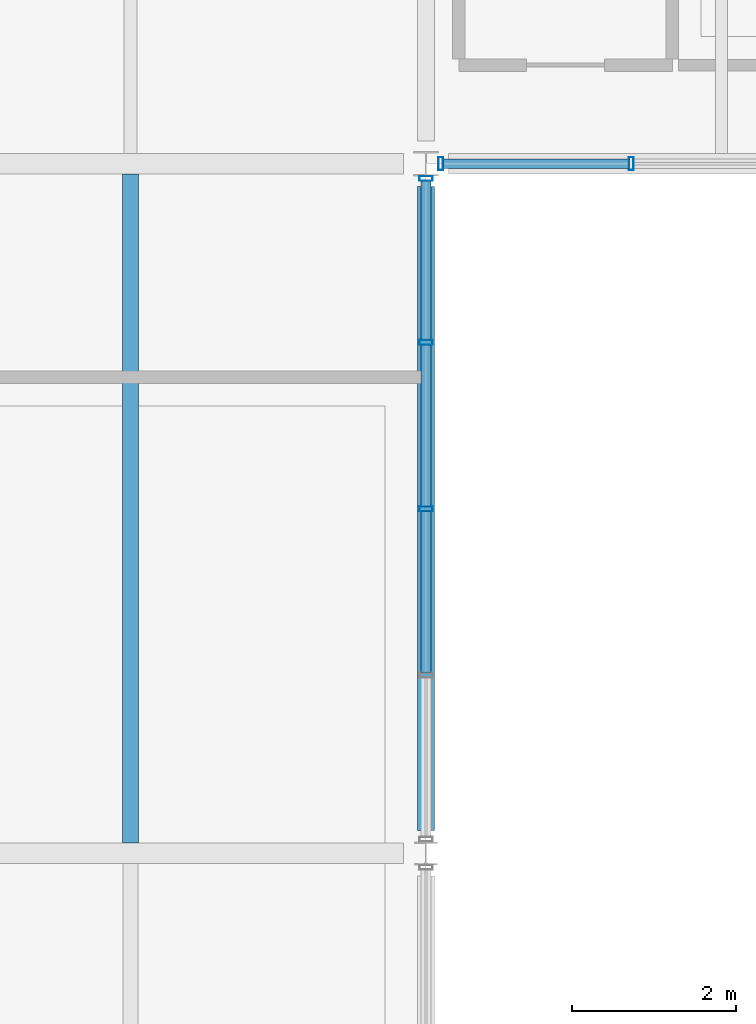
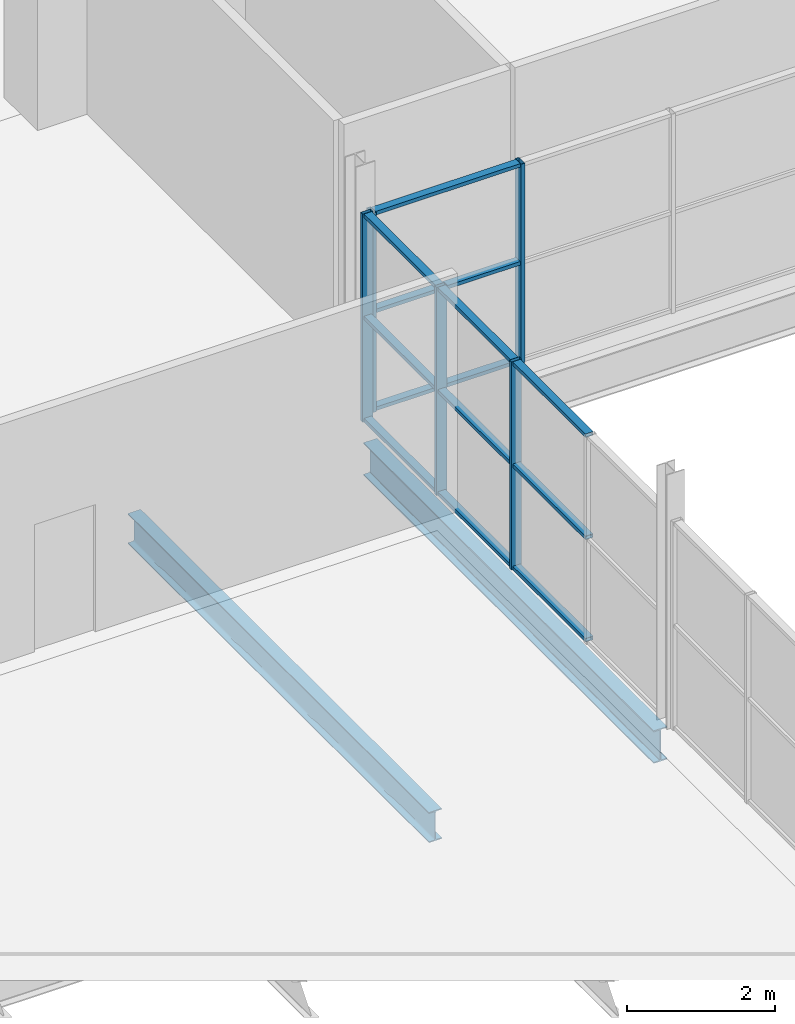
# One storey, part 31 of 161: 17 members, 2 beams, 2 elements without a shape of their own.
"""IFC4 building model written with IfcOpenShell, lengths in metres."""

from ifc_helpers import new_model, si_unit, direction, frame, origin, origin_2d, place, context, subcontext, project, spatial, hollow_rectangle, i_section, extrude, material, material_profile, profile_set, type_object, element, aggregate, save


model = new_model("IFC4")

# Units and contexts
model_context = context("Model", 3, precision=1e-05, world=origin(), true_north=direction((0.0, 1.0)))
body_context = subcontext(model_context, "Body", "Model", "MODEL_VIEW")
ifc_project = project(units=[si_unit("LENGTHUNIT", "METRE"), si_unit("AREAUNIT", "SQUARE_METRE"), si_unit("VOLUMEUNIT", "CUBIC_METRE"), si_unit("PLANEANGLEUNIT", "RADIAN"), si_unit("MASSUNIT", "GRAM", prefix="KILO"), si_unit("THERMODYNAMICTEMPERATUREUNIT", "KELVIN")], contexts=[model_context])

# Site, building, storey
site_placement = place(None, origin())
site = spatial("IfcSite", under=ifc_project, at=site_placement, CompositionType="ELEMENT")
building_placement = place(site_placement, origin())
building = spatial("IfcBuilding", under=site, at=building_placement, Name="Nduvali Passage Aquatics Centre", CompositionType="ELEMENT")
storey_placement = place(building_placement, frame((0.0, 0.0, 4.800048828125)))
storey = spatial("IfcBuildingStorey", under=building, at=storey_placement, Name="L01", CompositionType="ELEMENT", Elevation=4.800048828125)

# Curtain wall, members
ifc_material_1 = material(Name="Aluminium EN AW-6063 T6", Category="aluminium")
curtain_wall_type = type_object("IfcCurtainWallType", Name="ENV-CW-COUR", PredefinedType="NOTDEFINED", material=ifc_material_1)
curtain_wall_1_placement = place(storey_placement, origin())
curtain_wall_1 = element("IfcCurtainWall", 1, at=curtain_wall_1_placement, inside=storey, type_object=curtain_wall_type, Name="L01 Monsoon Courtyard Upper Cloister CW 164", PredefinedType="NOTDEFINED")
ifc_material_profile_1 = material_profile(ifc_material_1, hollow_rectangle(XDim=0.06005859375, YDim=0.159912109375, WallThickness=0.00390625, at=origin_2d()), Name="ALU MULLION 60x160x4")
ifc_profile_set_1 = profile_set([ifc_material_profile_1], Name="Aluminium EN AW-6063 T6")
member_type_1 = type_object("IfcMemberType", Name="ENV-MEM-MUL60", PredefinedType="MULLION", material=ifc_profile_set_1)
member_1_placement = place(storey_placement, frame((68.580078125, 16.800048828125, 0.0), z_axis=(0.0, 0.0, 1.0), x_axis=(1.0, 0.0, 0.0)))
member_1 = element("IfcMember", 2, at=member_1_placement, type_object=member_type_1, Name="Monsoon Courtyard Upper Cloister CW Mullion 1", PredefinedType="MULLION", context=body_context, shape_type="SweptSolid", body=[
    extrude(hollow_rectangle(XDim=0.06005859375, YDim=0.159912109375, WallThickness=0.00390625, at=origin_2d()), origin(), (0.0, 0.0, 1.0), 3.29248046875),
])
member_2_placement = place(storey_placement, frame((70.89990234375, 16.800048828125, 0.0), z_axis=(0.0, 0.0, 1.0), x_axis=(1.0, 0.0, 0.0)))
member_2 = element("IfcMember", 3, at=member_2_placement, type_object=member_type_1, Name="Monsoon Courtyard Upper Cloister CW Mullion 2", PredefinedType="MULLION", context=body_context, shape_type="SweptSolid", body=[
    extrude(hollow_rectangle(XDim=0.06005859375, YDim=0.159912109375, WallThickness=0.00390625, at=origin_2d()), origin(), (0.0, 0.0, 1.0), 3.29248046875),
])

curtain_wall_2_placement = place(storey_placement, origin())
curtain_wall_2 = element("IfcCurtainWall", 4, at=curtain_wall_2_placement, inside=storey, type_object=curtain_wall_type, Name="L01 Courtyard West Upper Cloister CW 173", PredefinedType="NOTDEFINED")
member_3_placement = place(storey_placement, frame((68.39990234375, 12.594970703125, 0.0), z_axis=(0.0, 0.0, 1.0), x_axis=(0.0, 1.0, 0.0)))
member_3 = element("IfcMember", 5, at=member_3_placement, type_object=member_type_1, Name="Courtyard West Upper Cloister CW Mullion 3", PredefinedType="MULLION", context=body_context, shape_type="SweptSolid", body=[
    extrude(hollow_rectangle(XDim=0.06005859375, YDim=0.159912109375, WallThickness=0.00390625, at=origin_2d()), origin(), (0.0, 0.0, 1.0), 3.436279296875),
])
member_4_placement = place(storey_placement, frame((68.39990234375, 14.62255859375, 0.0), z_axis=(0.0, 0.0, 1.0), x_axis=(0.0, 1.0, 0.0)))
member_4 = element("IfcMember", 6, at=member_4_placement, type_object=member_type_1, Name="Courtyard West Upper Cloister CW Mullion 4", PredefinedType="MULLION", context=body_context, shape_type="SweptSolid", body=[
    extrude(hollow_rectangle(XDim=0.06005859375, YDim=0.159912109375, WallThickness=0.00390625, at=origin_2d()), origin(), (0.0, 0.0, 1.0), 3.436279296875),
])
member_5_placement = place(storey_placement, frame((68.39990234375, 16.6201171875, 0.0), z_axis=(0.0, 0.0, 1.0), x_axis=(0.0, 1.0, 0.0)))
member_5 = element("IfcMember", 7, at=member_5_placement, type_object=member_type_1, Name="Courtyard West Upper Cloister CW Mullion 5", PredefinedType="MULLION", context=body_context, shape_type="SweptSolid", body=[
    extrude(hollow_rectangle(XDim=0.06005859375, YDim=0.159912109375, WallThickness=0.00390625, at=origin_2d()), origin(), (0.0, 0.0, 1.0), 3.436279296875),
])

# Member
ifc_material_profile_2 = material_profile(ifc_material_1, hollow_rectangle(XDim=0.1201171875, YDim=0.06005859375, WallThickness=0.00390625, at=origin_2d()), Name="ALU TRANSOM 120x60x4")
ifc_profile_set_2 = profile_set([ifc_material_profile_2], Name="Aluminium EN AW-6063 T6")
member_type_2 = type_object("IfcMemberType", Name="ENV-MEM-TRN60", PredefinedType="USERDEFINED", material=ifc_profile_set_2)
member_6_placement = place(storey_placement, frame((68.610107421875, 16.800048828125, 0.030029296875), z_axis=(1.0, 0.0, 0.0), x_axis=(0.0, 1.0, 0.0)))
member_6 = element("IfcMember", 8, at=member_6_placement, type_object=member_type_2, Name="Monsoon Courtyard Upper Cloister CW Transom B1-R0", ObjectType="TRANSOM", PredefinedType="USERDEFINED", context=body_context, shape_type="SweptSolid", body=[
    extrude(hollow_rectangle(XDim=0.1201171875, YDim=0.06005859375, WallThickness=0.00390625, at=origin_2d()), origin(), (0.0, 0.0, 1.0), 2.260009765625),
])

member_7_placement = place(storey_placement, frame((68.610107421875, 16.800048828125, 1.646240234375), z_axis=(1.0, 0.0, 0.0), x_axis=(0.0, 1.0, 0.0)))
member_7 = element("IfcMember", 9, at=member_7_placement, type_object=member_type_2, Name="Monsoon Courtyard Upper Cloister CW Transom B1-R1", ObjectType="TRANSOM", PredefinedType="USERDEFINED", context=body_context, shape_type="SweptSolid", body=[
    extrude(hollow_rectangle(XDim=0.1201171875, YDim=0.06005859375, WallThickness=0.00390625, at=origin_2d()), origin(), (0.0, 0.0, 1.0), 2.260009765625),
])

member_8_placement = place(storey_placement, frame((68.610107421875, 16.800048828125, 3.262451171875), z_axis=(1.0, 0.0, 0.0), x_axis=(0.0, 1.0, 0.0)))
member_8 = element("IfcMember", 10, at=member_8_placement, type_object=member_type_2, Name="Monsoon Courtyard Upper Cloister CW Transom B1-R2", ObjectType="TRANSOM", PredefinedType="USERDEFINED", context=body_context, shape_type="SweptSolid", body=[
    extrude(hollow_rectangle(XDim=0.1201171875, YDim=0.06005859375, WallThickness=0.00390625, at=origin_2d()), origin(), (0.0, 0.0, 1.0), 2.260009765625),
])

aggregate(curtain_wall_1, [member_1, member_2, member_6, member_7, member_8])

member_9_placement = place(storey_placement, frame((68.39990234375, 10.597412109375, 0.030029296875), z_axis=(0.0, 1.0, 0.0), x_axis=(-1.0, 0.0, 0.0)))
member_9 = element("IfcMember", 11, at=member_9_placement, type_object=member_type_2, Name="Courtyard West Upper Cloister CW Transom B2-R0", ObjectType="TRANSOM", PredefinedType="USERDEFINED", context=body_context, shape_type="SweptSolid", body=[
    extrude(hollow_rectangle(XDim=0.1201171875, YDim=0.06005859375, WallThickness=0.00390625, at=origin_2d()), origin(), (0.0, 0.0, 1.0), 1.967529296875),
])

member_10_placement = place(storey_placement, frame((68.39990234375, 10.597412109375, 1.71826171875), z_axis=(0.0, 1.0, 0.0), x_axis=(-1.0, 0.0, 0.0)))
member_10 = element("IfcMember", 12, at=member_10_placement, type_object=member_type_2, Name="Courtyard West Upper Cloister CW Transom B2-R1", ObjectType="TRANSOM", PredefinedType="USERDEFINED", context=body_context, shape_type="SweptSolid", body=[
    extrude(hollow_rectangle(XDim=0.1201171875, YDim=0.06005859375, WallThickness=0.00390625, at=origin_2d()), origin(), (0.0, 0.0, 1.0), 1.967529296875),
])

member_11_placement = place(storey_placement, frame((68.39990234375, 10.597412109375, 3.40625), z_axis=(0.0, 1.0, 0.0), x_axis=(-1.0, 0.0, 0.0)))
member_11 = element("IfcMember", 13, at=member_11_placement, type_object=member_type_2, Name="Courtyard West Upper Cloister CW Transom B2-R2", ObjectType="TRANSOM", PredefinedType="USERDEFINED", context=body_context, shape_type="SweptSolid", body=[
    extrude(hollow_rectangle(XDim=0.1201171875, YDim=0.06005859375, WallThickness=0.00390625, at=origin_2d()), origin(), (0.0, 0.0, 1.0), 1.967529296875),
])

member_12_placement = place(storey_placement, frame((68.39990234375, 12.625, 0.030029296875), z_axis=(0.0, 1.0, 0.0), x_axis=(-1.0, 0.0, 0.0)))
member_12 = element("IfcMember", 14, at=member_12_placement, type_object=member_type_2, Name="Courtyard West Upper Cloister CW Transom B3-R0", ObjectType="TRANSOM", PredefinedType="USERDEFINED", context=body_context, shape_type="SweptSolid", body=[
    extrude(hollow_rectangle(XDim=0.1201171875, YDim=0.06005859375, WallThickness=0.00390625, at=origin_2d()), origin(), (0.0, 0.0, 1.0), 1.967529296875),
])

member_13_placement = place(storey_placement, frame((68.39990234375, 12.625, 1.71826171875), z_axis=(0.0, 1.0, 0.0), x_axis=(-1.0, 0.0, 0.0)))
member_13 = element("IfcMember", 15, at=member_13_placement, type_object=member_type_2, Name="Courtyard West Upper Cloister CW Transom B3-R1", ObjectType="TRANSOM", PredefinedType="USERDEFINED", context=body_context, shape_type="SweptSolid", body=[
    extrude(hollow_rectangle(XDim=0.1201171875, YDim=0.06005859375, WallThickness=0.00390625, at=origin_2d()), origin(), (0.0, 0.0, 1.0), 1.967529296875),
])

member_14_placement = place(storey_placement, frame((68.39990234375, 12.625, 3.40625), z_axis=(0.0, 1.0, 0.0), x_axis=(-1.0, 0.0, 0.0)))
member_14 = element("IfcMember", 16, at=member_14_placement, type_object=member_type_2, Name="Courtyard West Upper Cloister CW Transom B3-R2", ObjectType="TRANSOM", PredefinedType="USERDEFINED", context=body_context, shape_type="SweptSolid", body=[
    extrude(hollow_rectangle(XDim=0.1201171875, YDim=0.06005859375, WallThickness=0.00390625, at=origin_2d()), origin(), (0.0, 0.0, 1.0), 1.967529296875),
])

member_15_placement = place(storey_placement, frame((68.39990234375, 14.652587890625, 0.030029296875), z_axis=(0.0, 1.0, 0.0), x_axis=(-1.0, 0.0, 0.0)))
member_15 = element("IfcMember", 17, at=member_15_placement, type_object=member_type_2, Name="Courtyard West Upper Cloister CW Transom B4-R0", ObjectType="TRANSOM", PredefinedType="USERDEFINED", context=body_context, shape_type="SweptSolid", body=[
    extrude(hollow_rectangle(XDim=0.1201171875, YDim=0.06005859375, WallThickness=0.00390625, at=origin_2d()), origin(), (0.0, 0.0, 1.0), 1.9375),
])

member_16_placement = place(storey_placement, frame((68.39990234375, 14.652587890625, 1.71826171875), z_axis=(0.0, 1.0, 0.0), x_axis=(-1.0, 0.0, 0.0)))
member_16 = element("IfcMember", 18, at=member_16_placement, type_object=member_type_2, Name="Courtyard West Upper Cloister CW Transom B4-R1", ObjectType="TRANSOM", PredefinedType="USERDEFINED", context=body_context, shape_type="SweptSolid", body=[
    extrude(hollow_rectangle(XDim=0.1201171875, YDim=0.06005859375, WallThickness=0.00390625, at=origin_2d()), origin(), (0.0, 0.0, 1.0), 1.9375),
])

member_17_placement = place(storey_placement, frame((68.39990234375, 14.652587890625, 3.40625), z_axis=(0.0, 1.0, 0.0), x_axis=(-1.0, 0.0, 0.0)))
member_17 = element("IfcMember", 19, at=member_17_placement, type_object=member_type_2, Name="Courtyard West Upper Cloister CW Transom B4-R2", ObjectType="TRANSOM", PredefinedType="USERDEFINED", context=body_context, shape_type="SweptSolid", body=[
    extrude(hollow_rectangle(XDim=0.1201171875, YDim=0.06005859375, WallThickness=0.00390625, at=origin_2d()), origin(), (0.0, 0.0, 1.0), 1.9375),
])

aggregate(curtain_wall_2, [member_3, member_4, member_5, member_9, member_10, member_11, member_12, member_13, member_14, member_15, member_16, member_17])

# Beams
ifc_material_2 = material(Name="Steel S355", Category="steel")
ifc_material_profile_3 = material_profile(ifc_material_2, i_section(OverallWidth=0.210693359375, OverallDepth=0.53955078125, WebThickness=0.01171875, FlangeThickness=0.018798828125, FilletRadius=0.0126953125, at=origin_2d()), Name="UKB 533x210x109")
ifc_profile_set_3 = profile_set([ifc_material_profile_3], Name="Steel S355")
beam_type_1 = type_object("IfcBeamType", Name="STR-BM-UKB533", PredefinedType="BEAM", material=ifc_profile_set_3)
beam_1_placement = place(storey_placement, frame((68.39990234375, 8.675048828125, -0.553955078125), z_axis=(0.0, 1.0, 0.0), x_axis=(-1.0, 0.0, 0.0)))
element("IfcBeam", 20, at=beam_1_placement, inside=storey, type_object=beam_type_1, Name="L01 Primary Y-Girder B6-0593", PredefinedType="BEAM", context=body_context, shape_type="SweptSolid", body=[
    extrude(i_section(OverallWidth=0.210693359375, OverallDepth=0.53955078125, WebThickness=0.01171875, FlangeThickness=0.018798828125, FilletRadius=0.0126953125, at=origin_2d()), origin(), (0.0, 0.0, 1.0), 7.849853515625),
])
ifc_material_profile_4 = material_profile(ifc_material_2, i_section(OverallWidth=0.199951171875, OverallDepth=0.5, WebThickness=0.01025390625, FlangeThickness=0.01611328125, FilletRadius=0.02099609375, at=origin_2d()), Name="IPE 500")
ifc_profile_set_4 = profile_set([ifc_material_profile_4], Name="Steel S355")
beam_type_2 = type_object("IfcBeamType", Name="STR-JST-IPE500", PredefinedType="JOIST", material=ifc_profile_set_4)
beam_2_placement = place(storey_placement, frame((64.800048828125, 8.52685546875, -0.533935546875), z_axis=(0.0, 1.0, 0.0), x_axis=(-1.0, 0.0, 0.0)))
element("IfcBeam", 21, at=beam_2_placement, inside=storey, type_object=beam_type_2, Name="L01 Secondary Joist J5A-0705", PredefinedType="JOIST", context=body_context, shape_type="SweptSolid", body=[
    extrude(i_section(OverallWidth=0.199951171875, OverallDepth=0.5, WebThickness=0.01025390625, FlangeThickness=0.01611328125, FilletRadius=0.02099609375, at=origin_2d()), origin(), (0.0, 0.0, 1.0), 8.146240234375),
])

save(model, "model.ifc")
